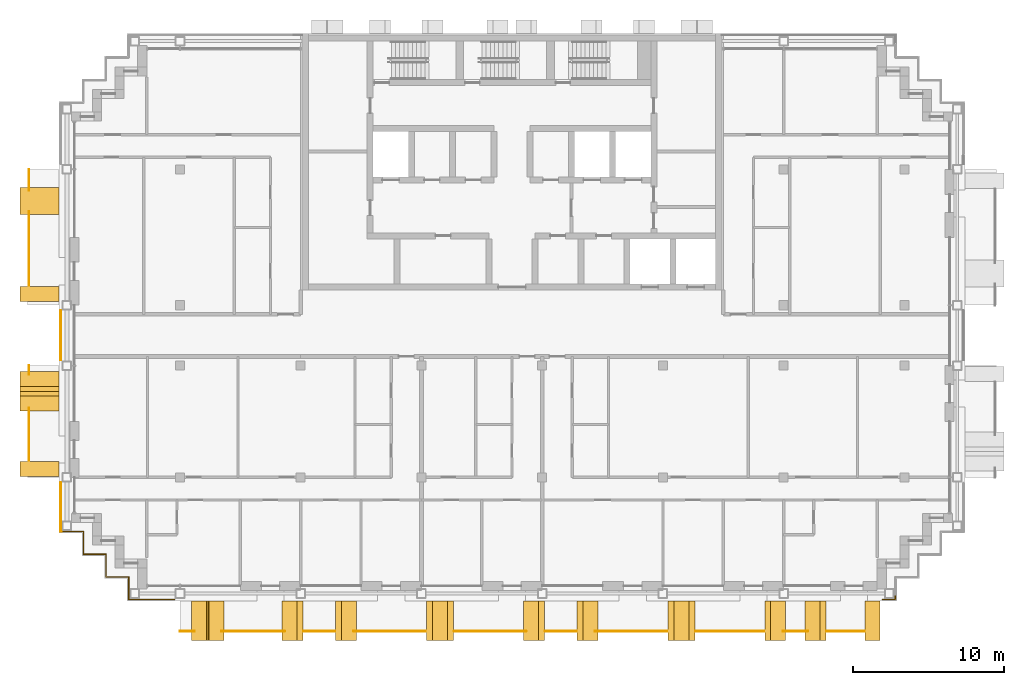
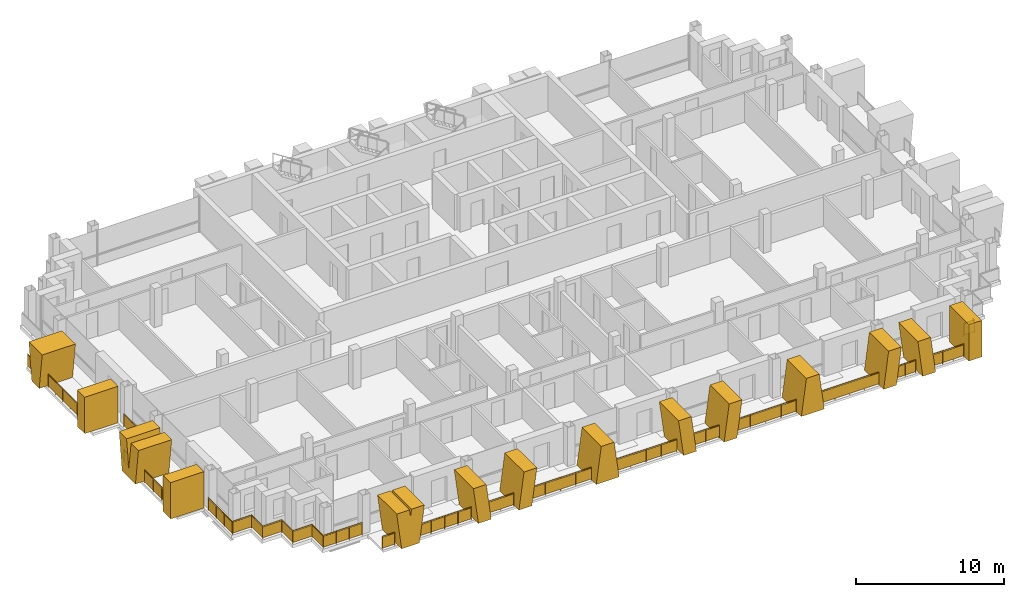
# One storey, part 13 of 16: 18 railings, 14 shading devices.
"""IFC4 building model written with IfcOpenShell, lengths in metres."""

from ifc_helpers import new_model, si_unit, direction, frame, origin, origin_2d, place, context, subcontext, project, spatial, polyline, rectangle, circle, outline, extrude, material, layer, layer_set, type_object, element, save


model = new_model("IFC4")

# Units and contexts
model_context = context("Model", 3, precision=1e-05, world=origin(), true_north=direction((0.0, 1.0)))
body_context = subcontext(model_context, "Body", "Model", "MODEL_VIEW")
ifc_project = project(units=[si_unit("LENGTHUNIT", "METRE"), si_unit("AREAUNIT", "SQUARE_METRE"), si_unit("VOLUMEUNIT", "CUBIC_METRE"), si_unit("PLANEANGLEUNIT", "RADIAN"), si_unit("MASSUNIT", "GRAM", prefix="KILO")], contexts=[model_context])

# Site, building, storey
site_placement = place(None, origin())
site = spatial("IfcSite", under=ifc_project, at=site_placement, CompositionType="ELEMENT")
building_placement = place(site_placement, origin())
building = spatial("IfcBuilding", under=site, at=building_placement, Name="Vidyagriha Tower", CompositionType="ELEMENT")
storey_placement = place(building_placement, frame((0.0, 0.0, 220.39990234375)))
storey = spatial("IfcBuildingStorey", under=building, at=storey_placement, Name="L57", CompositionType="ELEMENT", Elevation=220.39990234375)

# Railings
ifc_material_1 = material(Name="Steel ASTM A500 Grade C black painted", Category="steel")
railing_type_1 = type_object("IfcRailingType", Name="Balcony guard 1100", PredefinedType="BALUSTRADE", material=ifc_material_1)
railing_1_placement = place(storey_placement, frame((-32.0, 11.0, 0.0)))
element("IfcRailing", 1, at=railing_1_placement, inside=storey, type_object=railing_type_1, Name="Balcony guard L57 R16.1-1", PredefinedType="BALUSTRADE", context=body_context, shape_type="SweptSolid", body=[
    extrude(circle(Radius=0.02490234375, at=origin_2d()), frame((0.0, 0.0, 1.0751953125), z_axis=(0.0, -1.0, 0.0), x_axis=(1.0, 0.0, 0.0)), (0.0, 0.0, 1.0), 1.396728515625),
    extrude(circle(Radius=0.02001953125, at=origin_2d()), origin(), (0.0, 0.0, 1.0), 1.050048828125),
    extrude(circle(Radius=0.02001953125, at=origin_2d()), frame((0.0, -0.6982421875, 0.0)), (0.0, 0.0, 1.0), 1.050048828125),
    extrude(circle(Radius=0.02001953125, at=origin_2d()), frame((0.0, -1.396728515625, 0.0)), (0.0, 0.0, 1.0), 1.050048828125),
    extrude(rectangle(XDim=0.010009765625, YDim=0.900146484375, at=origin_2d()), frame((0.0, 0.0, 0.550048828125), z_axis=(0.0, -1.0, 0.0), x_axis=(1.0, 0.0, 0.0)), (0.0, 0.0, 1.0), 1.396728515625),
])
railing_2_placement = place(storey_placement, frame((-32.0, 8.19677734375, 0.0)))
element("IfcRailing", 2, at=railing_2_placement, inside=storey, type_object=railing_type_1, Name="Balcony guard L57 R16.1-2", PredefinedType="BALUSTRADE", context=body_context, shape_type="SweptSolid", body=[
    extrude(circle(Radius=0.02490234375, at=origin_2d()), frame((0.0, 0.0, 1.0751953125), z_axis=(0.0, -1.0, 0.0), x_axis=(1.0, 0.0, 0.0)), (0.0, 0.0, 1.0), 4.896728515625),
    extrude(circle(Radius=0.02001953125, at=origin_2d()), origin(), (0.0, 0.0, 1.0), 1.050048828125),
    extrude(circle(Radius=0.02001953125, at=origin_2d()), frame((0.0, -0.979248046875, 0.0)), (0.0, 0.0, 1.0), 1.050048828125),
    extrude(circle(Radius=0.02001953125, at=origin_2d()), frame((0.0, -1.958740234375, 0.0)), (0.0, 0.0, 1.0), 1.050048828125),
    extrude(circle(Radius=0.02001953125, at=origin_2d()), frame((0.0, -2.93798828125, 0.0)), (0.0, 0.0, 1.0), 1.050048828125),
    extrude(circle(Radius=0.02001953125, at=origin_2d()), frame((0.0, -3.91748046875, 0.0)), (0.0, 0.0, 1.0), 1.050048828125),
    extrude(circle(Radius=0.02001953125, at=origin_2d()), frame((0.0, -4.896728515625, 0.0)), (0.0, 0.0, 1.0), 1.050048828125),
    extrude(rectangle(XDim=0.010009765625, YDim=0.900146484375, at=origin_2d()), frame((0.0, 0.0, 0.550048828125), z_axis=(0.0, -1.0, 0.0), x_axis=(1.0, 0.0, 0.0)), (0.0, 0.0, 1.0), 4.896728515625),
])
railing_3_placement = place(storey_placement, frame((-32.0, -2.0, 0.0)))
element("IfcRailing", 3, at=railing_3_placement, inside=storey, type_object=railing_type_1, Name="Balcony guard L57 R16.2-1", PredefinedType="BALUSTRADE", context=body_context, shape_type="SweptSolid", body=[
    extrude(circle(Radius=0.02490234375, at=origin_2d()), frame((0.0, 0.0, 1.0751953125), z_axis=(0.0, -1.0, 0.0), x_axis=(1.0, 0.0, 0.0)), (0.0, 0.0, 1.0), 0.5966796875),
    extrude(circle(Radius=0.02001953125, at=origin_2d()), origin(), (0.0, 0.0, 1.0), 1.050048828125),
    extrude(circle(Radius=0.02001953125, at=origin_2d()), frame((0.0, -0.5966796875, 0.0)), (0.0, 0.0, 1.0), 1.050048828125),
    extrude(rectangle(XDim=0.010009765625, YDim=0.900146484375, at=origin_2d()), frame((0.0, 0.0, 0.550048828125), z_axis=(0.0, -1.0, 0.0), x_axis=(1.0, 0.0, 0.0)), (0.0, 0.0, 1.0), 0.5966796875),
])
railing_4_placement = place(storey_placement, frame((-32.0, -4.80322265625, 0.0)))
element("IfcRailing", 4, at=railing_4_placement, inside=storey, type_object=railing_type_1, Name="Balcony guard L57 R16.2-2", PredefinedType="BALUSTRADE", context=body_context, shape_type="SweptSolid", body=[
    extrude(circle(Radius=0.02490234375, at=origin_2d()), frame((0.0, 0.0, 1.0751953125), z_axis=(0.0, -1.0, 0.0), x_axis=(1.0, 0.0, 0.0)), (0.0, 0.0, 1.0), 3.496826171875),
    extrude(circle(Radius=0.02001953125, at=origin_2d()), origin(), (0.0, 0.0, 1.0), 1.050048828125),
    extrude(circle(Radius=0.02001953125, at=origin_2d()), frame((0.0, -1.16552734375, 0.0)), (0.0, 0.0, 1.0), 1.050048828125),
    extrude(circle(Radius=0.02001953125, at=origin_2d()), frame((0.0, -2.331298828125, 0.0)), (0.0, 0.0, 1.0), 1.050048828125),
    extrude(circle(Radius=0.02001953125, at=origin_2d()), frame((0.0, -3.496826171875, 0.0)), (0.0, 0.0, 1.0), 1.050048828125),
    extrude(rectangle(XDim=0.010009765625, YDim=0.900146484375, at=origin_2d()), frame((0.0, 0.0, 0.550048828125), z_axis=(0.0, -1.0, 0.0), x_axis=(1.0, 0.0, 0.0)), (0.0, 0.0, 1.0), 3.496826171875),
])
railing_5_placement = place(storey_placement, frame((-22.0, -19.60009765625, 0.0)))
element("IfcRailing", 5, at=railing_5_placement, inside=storey, type_object=railing_type_1, Name="Balcony guard L57 R23.1-1", PredefinedType="BALUSTRADE", context=body_context, shape_type="SweptSolid", body=[
    extrude(circle(Radius=0.02490234375, at=origin_2d()), frame((0.0, 0.0, 1.0751953125), z_axis=(1.0, 0.0, 0.0), x_axis=(0.0, 1.0, 0.0)), (0.0, 0.0, 1.0), 0.959228515625),
    extrude(circle(Radius=0.02001953125, at=origin_2d()), origin(), (0.0, 0.0, 1.0), 1.050048828125),
    extrude(circle(Radius=0.02001953125, at=origin_2d()), frame((0.959228515625, 0.0, 0.0)), (0.0, 0.0, 1.0), 1.050048828125),
    extrude(rectangle(XDim=0.010009765625, YDim=0.900146484375, at=origin_2d()), frame((0.0, 0.0, 0.550048828125), z_axis=(1.0, 0.0, 0.0), x_axis=(0.0, 1.0, 0.0)), (0.0, 0.0, 1.0), 0.959228515625),
])
railing_6_placement = place(storey_placement, frame((-19.25927734375, -19.60009765625, 0.0)))
element("IfcRailing", 6, at=railing_6_placement, inside=storey, type_object=railing_type_1, Name="Balcony guard L57 R23.1-2", PredefinedType="BALUSTRADE", context=body_context, shape_type="SweptSolid", body=[
    extrude(circle(Radius=0.02490234375, at=origin_2d()), frame((0.0, 0.0, 1.0751953125), z_axis=(1.0, 0.0, 0.0), x_axis=(0.0, 1.0, 0.0)), (0.0, 0.0, 1.0), 4.202880859375),
    extrude(circle(Radius=0.02001953125, at=origin_2d()), origin(), (0.0, 0.0, 1.0), 1.050048828125),
    extrude(circle(Radius=0.02001953125, at=origin_2d()), frame((1.05078125, 0.0, 0.0)), (0.0, 0.0, 1.0), 1.050048828125),
    extrude(circle(Radius=0.02001953125, at=origin_2d()), frame((2.1015625, 0.0, 0.0)), (0.0, 0.0, 1.0), 1.050048828125),
    extrude(circle(Radius=0.02001953125, at=origin_2d()), frame((3.152099609375, 0.0, 0.0)), (0.0, 0.0, 1.0), 1.050048828125),
    extrude(circle(Radius=0.02001953125, at=origin_2d()), frame((4.202880859375, 0.0, 0.0)), (0.0, 0.0, 1.0), 1.050048828125),
    extrude(rectangle(XDim=0.010009765625, YDim=0.900146484375, at=origin_2d()), frame((0.0, 0.0, 0.550048828125), z_axis=(1.0, 0.0, 0.0), x_axis=(0.0, 1.0, 0.0)), (0.0, 0.0, 1.0), 4.202880859375),
])
railing_7_placement = place(storey_placement, frame((-13.804931640625, -19.60009765625, 0.0)))
element("IfcRailing", 7, at=railing_7_placement, inside=storey, type_object=railing_type_1, Name="Balcony guard L57 R23.1-3", PredefinedType="BALUSTRADE", context=body_context, shape_type="SweptSolid", body=[
    extrude(circle(Radius=0.02490234375, at=origin_2d()), frame((0.0, 0.0, 1.0751953125), z_axis=(1.0, 0.0, 0.0), x_axis=(0.0, 1.0, 0.0)), (0.0, 0.0, 1.0), 2.059814453125),
    extrude(circle(Radius=0.02001953125, at=origin_2d()), origin(), (0.0, 0.0, 1.0), 1.050048828125),
    extrude(circle(Radius=0.02001953125, at=origin_2d()), frame((1.02978515625, 0.0, 0.0)), (0.0, 0.0, 1.0), 1.050048828125),
    extrude(circle(Radius=0.02001953125, at=origin_2d()), frame((2.059814453125, 0.0, 0.0)), (0.0, 0.0, 1.0), 1.050048828125),
    extrude(rectangle(XDim=0.010009765625, YDim=0.900146484375, at=origin_2d()), frame((0.0, 0.0, 0.550048828125), z_axis=(1.0, 0.0, 0.0), x_axis=(0.0, 1.0, 0.0)), (0.0, 0.0, 1.0), 2.059814453125),
])
for number, where, name in (
    (8, (-10.49365234375, -19.60009765625, 0.0), "Balcony guard L57 R23.1-4"),
    (9, (-3.830078125, -19.60009765625, 0.0), "Balcony guard L57 R23.1-5"),
):
    element("IfcRailing", number, at=place(storey_placement, frame(where)), inside=storey, type_object=railing_type_1, Name=name, PredefinedType="BALUSTRADE", context=body_context, shape_type="SweptSolid", body=[
        extrude(circle(Radius=0.02490234375, at=origin_2d()), frame((0.0, 0.0, 1.0751953125), z_axis=(1.0, 0.0, 0.0), x_axis=(0.0, 1.0, 0.0)), (0.0, 0.0, 1.0), 4.773681640625),
        extrude(circle(Radius=0.02001953125, at=origin_2d()), origin(), (0.0, 0.0, 1.0), 1.050048828125),
        extrude(circle(Radius=0.02001953125, at=origin_2d()), frame((1.193359375, 0.0, 0.0)), (0.0, 0.0, 1.0), 1.050048828125),
        extrude(circle(Radius=0.02001953125, at=origin_2d()), frame((2.38671875, 0.0, 0.0)), (0.0, 0.0, 1.0), 1.050048828125),
        extrude(circle(Radius=0.02001953125, at=origin_2d()), frame((3.580322265625, 0.0, 0.0)), (0.0, 0.0, 1.0), 1.050048828125),
        extrude(circle(Radius=0.02001953125, at=origin_2d()), frame((4.773681640625, 0.0, 0.0)), (0.0, 0.0, 1.0), 1.050048828125),
        extrude(rectangle(XDim=0.010009765625, YDim=0.900146484375, at=origin_2d()), frame((0.0, 0.0, 0.550048828125), z_axis=(1.0, 0.0, 0.0), x_axis=(0.0, 1.0, 0.0)), (0.0, 0.0, 1.0), 4.773681640625),
    ])
railing_8_placement = place(storey_placement, frame((2.195068359375, -19.60009765625, 0.0)))
element("IfcRailing", 10, at=railing_8_placement, inside=storey, type_object=railing_type_1, Name="Balcony guard L57 R23.1-6", PredefinedType="BALUSTRADE", context=body_context, shape_type="SweptSolid", body=[
    extrude(circle(Radius=0.02490234375, at=origin_2d()), frame((0.0, 0.0, 1.0751953125), z_axis=(1.0, 0.0, 0.0), x_axis=(0.0, 1.0, 0.0)), (0.0, 0.0, 1.0), 2.059814453125),
    extrude(circle(Radius=0.02001953125, at=origin_2d()), origin(), (0.0, 0.0, 1.0), 1.050048828125),
    extrude(circle(Radius=0.02001953125, at=origin_2d()), frame((1.02978515625, 0.0, 0.0)), (0.0, 0.0, 1.0), 1.050048828125),
    extrude(circle(Radius=0.02001953125, at=origin_2d()), frame((2.059814453125, 0.0, 0.0)), (0.0, 0.0, 1.0), 1.050048828125),
    extrude(rectangle(XDim=0.010009765625, YDim=0.900146484375, at=origin_2d()), frame((0.0, 0.0, 0.550048828125), z_axis=(1.0, 0.0, 0.0), x_axis=(0.0, 1.0, 0.0)), (0.0, 0.0, 1.0), 2.059814453125),
])
railing_9_placement = place(storey_placement, frame((5.50634765625, -19.60009765625, 0.0)))
element("IfcRailing", 11, at=railing_9_placement, inside=storey, type_object=railing_type_1, Name="Balcony guard L57 R23.1-7", PredefinedType="BALUSTRADE", context=body_context, shape_type="SweptSolid", body=[
    extrude(circle(Radius=0.02490234375, at=origin_2d()), frame((0.0, 0.0, 1.0751953125), z_axis=(1.0, 0.0, 0.0), x_axis=(0.0, 1.0, 0.0)), (0.0, 0.0, 1.0), 4.773681640625),
    extrude(circle(Radius=0.02001953125, at=origin_2d()), origin(), (0.0, 0.0, 1.0), 1.050048828125),
    extrude(circle(Radius=0.02001953125, at=origin_2d()), frame((1.193359375, 0.0, 0.0)), (0.0, 0.0, 1.0), 1.050048828125),
    extrude(circle(Radius=0.02001953125, at=origin_2d()), frame((2.38671875, 0.0, 0.0)), (0.0, 0.0, 1.0), 1.050048828125),
    extrude(circle(Radius=0.02001953125, at=origin_2d()), frame((3.580322265625, 0.0, 0.0)), (0.0, 0.0, 1.0), 1.050048828125),
    extrude(circle(Radius=0.02001953125, at=origin_2d()), frame((4.773681640625, 0.0, 0.0)), (0.0, 0.0, 1.0), 1.050048828125),
    extrude(rectangle(XDim=0.010009765625, YDim=0.900146484375, at=origin_2d()), frame((0.0, 0.0, 0.550048828125), z_axis=(1.0, 0.0, 0.0), x_axis=(0.0, 1.0, 0.0)), (0.0, 0.0, 1.0), 4.773681640625),
])
railing_10_placement = place(storey_placement, frame((12.169921875, -19.60009765625, 0.0)))
element("IfcRailing", 12, at=railing_10_placement, inside=storey, type_object=railing_type_1, Name="Balcony guard L57 R23.1-8", PredefinedType="BALUSTRADE", context=body_context, shape_type="SweptSolid", body=[
    extrude(circle(Radius=0.02490234375, at=origin_2d()), frame((0.0, 0.0, 1.0751953125), z_axis=(1.0, 0.0, 0.0), x_axis=(0.0, 1.0, 0.0)), (0.0, 0.0, 1.0), 4.530029296875),
    extrude(circle(Radius=0.02001953125, at=origin_2d()), origin(), (0.0, 0.0, 1.0), 1.050048828125),
    extrude(circle(Radius=0.02001953125, at=origin_2d()), frame((1.132568359375, 0.0, 0.0)), (0.0, 0.0, 1.0), 1.050048828125),
    extrude(circle(Radius=0.02001953125, at=origin_2d()), frame((2.26513671875, 0.0, 0.0)), (0.0, 0.0, 1.0), 1.050048828125),
    extrude(circle(Radius=0.02001953125, at=origin_2d()), frame((3.3974609375, 0.0, 0.0)), (0.0, 0.0, 1.0), 1.050048828125),
    extrude(circle(Radius=0.02001953125, at=origin_2d()), frame((4.530029296875, 0.0, 0.0)), (0.0, 0.0, 1.0), 1.050048828125),
    extrude(rectangle(XDim=0.010009765625, YDim=0.900146484375, at=origin_2d()), frame((0.0, 0.0, 0.550048828125), z_axis=(1.0, 0.0, 0.0), x_axis=(0.0, 1.0, 0.0)), (0.0, 0.0, 1.0), 4.530029296875),
])
railing_11_placement = place(storey_placement, frame((17.946044921875, -19.60009765625, 0.0)))
element("IfcRailing", 13, at=railing_11_placement, inside=storey, type_object=railing_type_1, Name="Balcony guard L57 R23.1-9", PredefinedType="BALUSTRADE", context=body_context, shape_type="SweptSolid", body=[
    extrude(circle(Radius=0.02490234375, at=origin_2d()), frame((0.0, 0.0, 1.0751953125), z_axis=(1.0, 0.0, 0.0), x_axis=(0.0, 1.0, 0.0)), (0.0, 0.0, 1.0), 1.65771484375),
    extrude(circle(Radius=0.02001953125, at=origin_2d()), origin(), (0.0, 0.0, 1.0), 1.050048828125),
    extrude(circle(Radius=0.02001953125, at=origin_2d()), frame((0.828857421875, 0.0, 0.0)), (0.0, 0.0, 1.0), 1.050048828125),
    extrude(circle(Radius=0.02001953125, at=origin_2d()), frame((1.65771484375, 0.0, 0.0)), (0.0, 0.0, 1.0), 1.050048828125),
    extrude(rectangle(XDim=0.010009765625, YDim=0.900146484375, at=origin_2d()), frame((0.0, 0.0, 0.550048828125), z_axis=(1.0, 0.0, 0.0), x_axis=(0.0, 1.0, 0.0)), (0.0, 0.0, 1.0), 1.65771484375),
])
railing_12_placement = place(storey_placement, frame((20.85009765625, -19.60009765625, 0.0)))
element("IfcRailing", 14, at=railing_12_placement, inside=storey, type_object=railing_type_1, Name="Balcony guard L57 R23.1-10", PredefinedType="BALUSTRADE", context=body_context, shape_type="SweptSolid", body=[
    extrude(circle(Radius=0.02490234375, at=origin_2d()), frame((0.0, 0.0, 1.0751953125), z_axis=(1.0, 0.0, 0.0), x_axis=(0.0, 1.0, 0.0)), (0.0, 0.0, 1.0), 2.5),
    extrude(circle(Radius=0.02001953125, at=origin_2d()), origin(), (0.0, 0.0, 1.0), 1.050048828125),
    extrude(circle(Radius=0.02001953125, at=origin_2d()), frame((0.833251953125, 0.0, 0.0)), (0.0, 0.0, 1.0), 1.050048828125),
    extrude(circle(Radius=0.02001953125, at=origin_2d()), frame((1.666748046875, 0.0, 0.0)), (0.0, 0.0, 1.0), 1.050048828125),
    extrude(circle(Radius=0.02001953125, at=origin_2d()), frame((2.5, 0.0, 0.0)), (0.0, 0.0, 1.0), 1.050048828125),
    extrude(rectangle(XDim=0.010009765625, YDim=0.900146484375, at=origin_2d()), frame((0.0, 0.0, 0.550048828125), z_axis=(1.0, 0.0, 0.0), x_axis=(0.0, 1.0, 0.0)), (0.0, 0.0, 1.0), 2.5),
])

# Shading devices
ifc_material_2 = material(Name="Precast concrete C40/50 with buff brick facing", Category="concrete")
ifc_layer_1 = layer(ifc_material_2, 1.0)
ifc_layer_set_1 = layer_set([ifc_layer_1], Name="Precast concrete C40/50 with buff brick facing")
shading_device_type_1 = type_object("IfcShadingDeviceType", Name="Brick-faced blade fin arm leaning 8 degrees", PredefinedType="USERDEFINED", material=ifc_layer_set_1)
shading_device_1_placement = place(storey_placement, frame((-11.695068359375, -18.89990234375, 0.0)))
element("IfcShadingDevice", 15, at=shading_device_1_placement, inside=storey, type_object=shading_device_type_1, Name="Leaning blade fin L57 R23.1020a", ObjectType="BLADE FIN", PredefinedType="USERDEFINED", context=body_context, shape_type="SweptSolid", body=[
    extrude(outline(polyline([(0.0, 0.0), (1.0, 0.0), (1.39501953125, 3.0), (0.39501953125, 3.0), (0.0, 0.0)])), frame((0.0, 1.300048828125, 0.0), z_axis=(0.0, -1.0, 0.0), x_axis=(1.0, 0.0, 0.0)), (0.0, 0.0, 1.0), 2.60009765625),
])
shading_device_2_placement = place(storey_placement, frame((-15.25, -18.89990234375, 0.0)))
element("IfcShadingDevice", 16, at=shading_device_2_placement, inside=storey, type_object=shading_device_type_1, Name="Leaning blade fin L57 R23.1020b", ObjectType="BLADE FIN", PredefinedType="USERDEFINED", context=body_context, shape_type="SweptSolid", body=[
    extrude(outline(polyline([(0.39501953125, 0.0), (1.39501953125, 0.0), (1.0, 3.0), (0.0, 3.0), (0.39501953125, 0.0)])), frame((0.0, 1.300048828125, 0.0), z_axis=(0.0, -1.0, 0.0), x_axis=(1.0, 0.0, 0.0)), (0.0, 0.0, 1.0), 2.60009765625),
])
shading_device_3_placement = place(storey_placement, frame((4.304931640625, -18.89990234375, 0.0)))
element("IfcShadingDevice", 17, at=shading_device_3_placement, inside=storey, type_object=shading_device_type_1, Name="Leaning blade fin L57 R23.2620a", ObjectType="BLADE FIN", PredefinedType="USERDEFINED", context=body_context, shape_type="SweptSolid", body=[
    extrude(outline(polyline([(0.0, 0.0), (1.0, 0.0), (1.39501953125, 3.0), (0.39501953125, 3.0), (0.0, 0.0)])), frame((0.0, 1.300048828125, 0.0), z_axis=(0.0, -1.0, 0.0), x_axis=(1.0, 0.0, 0.0)), (0.0, 0.0, 1.0), 2.60009765625),
])
shading_device_4_placement = place(storey_placement, frame((0.75, -18.89990234375, 0.0)))
element("IfcShadingDevice", 18, at=shading_device_4_placement, inside=storey, type_object=shading_device_type_1, Name="Leaning blade fin L57 R23.2620b", ObjectType="BLADE FIN", PredefinedType="USERDEFINED", context=body_context, shape_type="SweptSolid", body=[
    extrude(outline(polyline([(0.39501953125, 0.0), (1.39501953125, 0.0), (1.0, 3.0), (0.0, 3.0), (0.39501953125, 0.0)])), frame((0.0, 1.300048828125, 0.0), z_axis=(0.0, -1.0, 0.0), x_axis=(1.0, 0.0, 0.0)), (0.0, 0.0, 1.0), 2.60009765625),
])
shading_device_5_placement = place(storey_placement, frame((19.418701171875, -18.89990234375, 0.0)))
element("IfcShadingDevice", 19, at=shading_device_5_placement, inside=storey, type_object=shading_device_type_1, Name="Leaning blade fin L57 R23.4220a", ObjectType="BLADE FIN", PredefinedType="USERDEFINED", context=body_context, shape_type="SweptSolid", body=[
    extrude(outline(polyline([(0.38134765625, 0.0), (1.38134765625, 0.0), (1.0, 3.0), (0.0, 3.0), (0.38134765625, 0.0)])), frame((0.0, 1.300048828125, 0.0), z_axis=(0.0, -1.0, 0.0), x_axis=(1.0, 0.0, 0.0)), (0.0, 0.0, 1.0), 2.60009765625),
])
shading_device_6_placement = place(storey_placement, frame((16.75, -18.89990234375, 0.0)))
element("IfcShadingDevice", 20, at=shading_device_6_placement, inside=storey, type_object=shading_device_type_1, Name="Leaning blade fin L57 R23.4220b", ObjectType="BLADE FIN", PredefinedType="USERDEFINED", context=body_context, shape_type="SweptSolid", body=[
    extrude(outline(polyline([(0.0, 0.0), (1.0, 0.0), (1.38134765625, 3.0), (0.38134765625, 3.0), (0.0, 0.0)])), frame((0.0, 1.300048828125, 0.0), z_axis=(0.0, -1.0, 0.0), x_axis=(1.0, 0.0, 0.0)), (0.0, 0.0, 1.0), 2.60009765625),
])
ifc_material_3 = material(Name="Precast concrete C40/50 with buff brick facing", Category="concrete")
ifc_layer_2 = layer(ifc_material_3, 1.0)
ifc_layer_set_2 = layer_set([ifc_layer_2], Name="Precast concrete C40/50 with buff brick facing")
shading_device_type_2 = type_object("IfcShadingDeviceType", Name="Brick-faced blade fin forking 8 degrees", PredefinedType="USERDEFINED", material=ifc_layer_set_2)
shading_device_7_placement = place(storey_placement, frame((-31.300048828125, 9.800048828125, 0.0), z_axis=(0.0, 0.0, 1.0), x_axis=(0.0, -1.0, 0.0)))
element("IfcShadingDevice", 21, at=shading_device_7_placement, inside=storey, type_object=shading_device_type_2, Name="Forked blade fin L57 R16.320a", ObjectType="BLADE FIN", PredefinedType="USERDEFINED", context=body_context, shape_type="SweptSolid", body=[
    extrude(outline(polyline([(0.39990234375, 0.0), (1.39990234375, 0.0), (1.800048828125, 3.0), (0.0, 3.0), (0.39990234375, 0.0)])), frame((0.0, 1.300048828125, 0.0), z_axis=(0.0, -1.0, 0.0), x_axis=(1.0, 0.0, 0.0)), (0.0, 0.0, 1.0), 2.60009765625),
])
shading_device_8_placement = place(storey_placement, frame((-31.300048828125, -2.39990234375, 0.0), z_axis=(0.0, 0.0, 1.0), x_axis=(0.0, -1.0, 0.0)))
element("IfcShadingDevice", 22, at=shading_device_8_placement, inside=storey, type_object=shading_device_type_2, Name="Forked blade fin L57 R16.1620a", ObjectType="BLADE FIN", PredefinedType="USERDEFINED", context=body_context, shape_type="SweptSolid", body=[
    extrude(outline(polyline([(0.39990234375, 0.0), (2.199951171875, 0.0), (2.60009765625, 3.0), (1.60009765625, 3.0), (1.300048828125, 0.75), (1.0, 3.0), (0.0, 3.0), (0.39990234375, 0.0)])), frame((0.0, 1.300048828125, 0.0), z_axis=(0.0, -1.0, 0.0), x_axis=(1.0, 0.0, 0.0)), (0.0, 0.0, 1.0), 2.60009765625),
])
shading_device_9_placement = place(storey_placement, frame((-21.228515625, -18.89990234375, 0.0)))
element("IfcShadingDevice", 23, at=shading_device_9_placement, inside=storey, type_object=shading_device_type_2, Name="Forked blade fin L57 R23.220a", ObjectType="BLADE FIN", PredefinedType="USERDEFINED", context=body_context, shape_type="SweptSolid", body=[
    extrude(outline(polyline([(0.3857421875, 0.0), (1.771484375, 0.0), (2.1572265625, 3.0), (1.1572265625, 3.0), (1.07861328125, 2.388916015625), (1.0, 3.0), (0.0, 3.0), (0.3857421875, 0.0)])), frame((0.0, 1.300048828125, 0.0), z_axis=(0.0, -1.0, 0.0), x_axis=(1.0, 0.0, 0.0)), (0.0, 0.0, 1.0), 2.60009765625),
])
for number, where, name in (
    (24, (-5.669921875, -18.89990234375, 0.0), "Forked blade fin L57 R23.1820a"),
    (25, (10.330078125, -18.89990234375, 0.0), "Forked blade fin L57 R23.3420a"),
):
    element("IfcShadingDevice", number, at=place(storey_placement, frame(where)), inside=storey, type_object=shading_device_type_2, Name=name, ObjectType="BLADE FIN", PredefinedType="USERDEFINED", context=body_context, shape_type="SweptSolid", body=[
        extrude(outline(polyline([(0.0, 0.0), (1.7900390625, 0.0), (1.39501953125, 3.0), (0.39501953125, 3.0), (0.0, 0.0)])), frame((0.0, 1.300048828125, 0.0), z_axis=(0.0, -1.0, 0.0), x_axis=(1.0, 0.0, 0.0)), (0.0, 0.0, 1.0), 2.60009765625),
    ])
ifc_material_4 = material(Name="Precast concrete C40/50 with buff brick facing", Category="concrete")
ifc_layer_3 = layer(ifc_material_4, 1.0)
ifc_layer_set_3 = layer_set([ifc_layer_3], Name="Precast concrete C40/50 with buff brick facing")
shading_device_type_3 = type_object("IfcShadingDeviceType", Name="Brick-faced blade fin stem 1000", PredefinedType="USERDEFINED", material=ifc_layer_set_3)
for number, where, z_axis, x_axis, name in (
    (26, (-31.300048828125, 3.25, 0.0), (0.0, 0.0, 1.0), (0.0, -1.0, 0.0), "Stem blade fin L57 R16.1220a"),
    (27, (-31.300048828125, -8.35009765625, 0.0), (0.0, 0.0, 1.0), (0.0, -1.0, 0.0), "Stem blade fin L57 R16.2360a"),
):
    element("IfcShadingDevice", number, at=place(storey_placement, frame(where, z_axis=z_axis, x_axis=x_axis)), inside=storey, type_object=shading_device_type_3, Name=name, ObjectType="BLADE FIN", PredefinedType="USERDEFINED", context=body_context, shape_type="SweptSolid", body=[
        extrude(outline(polyline([(0.0, 0.0), (1.0, 0.0), (1.0, 3.0), (0.0, 3.0), (0.0, 0.0)])), frame((0.0, 1.300048828125, 0.0), z_axis=(0.0, -1.0, 0.0), x_axis=(1.0, 0.0, 0.0)), (0.0, 0.0, 1.0), 2.60009765625),
    ])
shading_device_10_placement = place(storey_placement, frame((23.39990234375, -18.89990234375, 0.0)))
element("IfcShadingDevice", 28, at=shading_device_10_placement, inside=storey, type_object=shading_device_type_3, Name="Stem blade fin L57 R23.4840a", ObjectType="BLADE FIN", PredefinedType="USERDEFINED", context=body_context, shape_type="SweptSolid", body=[
    extrude(outline(polyline([(0.0, 0.0), (1.0, 0.0), (1.0, 3.0), (0.0, 3.0), (0.0, 0.0)])), frame((0.0, 1.300048828125, 0.0), z_axis=(0.0, -1.0, 0.0), x_axis=(1.0, 0.0, 0.0)), (0.0, 0.0, 1.0), 2.60009765625),
])

# Railings
ifc_material_5 = material(Name="Steel ASTM A500 Grade C black painted", Category="steel")
railing_type_2 = type_object("IfcRailingType", Name="Gallery guard 1100", PredefinedType="GUARDRAIL", material=ifc_material_5)
railing_13_placement = place(storey_placement, frame((-22.360107421875, -17.5, 0.0)))
element("IfcRailing", 29, at=railing_13_placement, inside=storey, type_object=railing_type_2, Name="Gallery guard L57 1", PredefinedType="GUARDRAIL", context=body_context, shape_type="SweptSolid", body=[
    extrude(circle(Radius=0.02490234375, at=origin_2d()), frame((0.0, 0.0, 1.0751953125), z_axis=(-1.0, 0.0, 0.0), x_axis=(0.0, -1.0, 0.0)), (0.0, 0.0, 1.0), 3.039794921875),
    extrude(circle(Radius=0.02490234375, at=origin_2d()), frame((-3.039794921875, 0.0, 1.0751953125), z_axis=(0.0, 1.0, 0.0), x_axis=(-1.0, 0.0, 0.0)), (0.0, 0.0, 1.0), 1.5),
    extrude(circle(Radius=0.02490234375, at=origin_2d()), frame((-3.039794921875, 1.5, 1.0751953125), z_axis=(-1.0, 0.0, 0.0), x_axis=(0.0, -1.0, 0.0)), (0.0, 0.0, 1.0), 1.5),
    extrude(circle(Radius=0.02490234375, at=origin_2d()), frame((-4.539794921875, 1.5, 1.0751953125), z_axis=(0.0, 1.0, 0.0), x_axis=(-1.0, 0.0, 0.0)), (0.0, 0.0, 1.0), 1.5),
    extrude(circle(Radius=0.02490234375, at=origin_2d()), frame((-4.539794921875, 3.0, 1.0751953125), z_axis=(-1.0, 0.0, 0.0), x_axis=(0.0, -1.0, 0.0)), (0.0, 0.0, 1.0), 1.5),
    extrude(circle(Radius=0.02490234375, at=origin_2d()), frame((-6.039794921875, 3.0, 1.0751953125), z_axis=(0.0, 1.0, 0.0), x_axis=(-1.0, 0.0, 0.0)), (0.0, 0.0, 1.0), 1.5),
    extrude(circle(Radius=0.02490234375, at=origin_2d()), frame((-6.039794921875, 4.5, 1.0751953125), z_axis=(-1.0, 0.0, 0.0), x_axis=(0.0, -1.0, 0.0)), (0.0, 0.0, 1.0), 1.460205078125),
    extrude(circle(Radius=0.02001953125, at=origin_2d()), origin(), (0.0, 0.0, 1.0), 1.050048828125),
    extrude(circle(Radius=0.02001953125, at=origin_2d()), frame((-1.01318359375, 0.0, 0.0)), (0.0, 0.0, 1.0), 1.050048828125),
    extrude(circle(Radius=0.02001953125, at=origin_2d()), frame((-2.026611328125, 0.0, 0.0)), (0.0, 0.0, 1.0), 1.050048828125),
    extrude(circle(Radius=0.02001953125, at=origin_2d()), frame((-3.039794921875, 0.0, 0.0)), (0.0, 0.0, 1.0), 1.050048828125),
    extrude(circle(Radius=0.02001953125, at=origin_2d()), frame((-3.039794921875, 1.5, 0.0)), (0.0, 0.0, 1.0), 1.050048828125),
    extrude(circle(Radius=0.02001953125, at=origin_2d()), frame((-4.539794921875, 1.5, 0.0)), (0.0, 0.0, 1.0), 1.050048828125),
    extrude(circle(Radius=0.02001953125, at=origin_2d()), frame((-4.539794921875, 3.0, 0.0)), (0.0, 0.0, 1.0), 1.050048828125),
    extrude(circle(Radius=0.02001953125, at=origin_2d()), frame((-6.039794921875, 3.0, 0.0)), (0.0, 0.0, 1.0), 1.050048828125),
    extrude(circle(Radius=0.02001953125, at=origin_2d()), frame((-6.039794921875, 4.5, 0.0)), (0.0, 0.0, 1.0), 1.050048828125),
    extrude(circle(Radius=0.02001953125, at=origin_2d()), frame((-7.5, 4.5, 0.0)), (0.0, 0.0, 1.0), 1.050048828125),
    extrude(rectangle(XDim=0.010009765625, YDim=0.900146484375, at=origin_2d()), frame((0.0, 0.0, 0.550048828125), z_axis=(-1.0, 0.0, 0.0), x_axis=(0.0, -1.0, 0.0)), (0.0, 0.0, 1.0), 3.039794921875),
    extrude(rectangle(XDim=0.010009765625, YDim=0.900146484375, at=origin_2d()), frame((-3.039794921875, 0.0, 0.550048828125), z_axis=(0.0, 1.0, 0.0), x_axis=(-1.0, 0.0, 0.0)), (0.0, 0.0, 1.0), 1.5),
    extrude(rectangle(XDim=0.010009765625, YDim=0.900146484375, at=origin_2d()), frame((-3.039794921875, 1.5, 0.550048828125), z_axis=(-1.0, 0.0, 0.0), x_axis=(0.0, -1.0, 0.0)), (0.0, 0.0, 1.0), 1.5),
    extrude(rectangle(XDim=0.010009765625, YDim=0.900146484375, at=origin_2d()), frame((-4.539794921875, 1.5, 0.550048828125), z_axis=(0.0, 1.0, 0.0), x_axis=(-1.0, 0.0, 0.0)), (0.0, 0.0, 1.0), 1.5),
    extrude(rectangle(XDim=0.010009765625, YDim=0.900146484375, at=origin_2d()), frame((-4.539794921875, 3.0, 0.550048828125), z_axis=(-1.0, 0.0, 0.0), x_axis=(0.0, -1.0, 0.0)), (0.0, 0.0, 1.0), 1.5),
    extrude(rectangle(XDim=0.010009765625, YDim=0.900146484375, at=origin_2d()), frame((-6.039794921875, 3.0, 0.550048828125), z_axis=(0.0, 1.0, 0.0), x_axis=(-1.0, 0.0, 0.0)), (0.0, 0.0, 1.0), 1.5),
    extrude(rectangle(XDim=0.010009765625, YDim=0.900146484375, at=origin_2d()), frame((-6.039794921875, 4.5, 0.550048828125), z_axis=(-1.0, 0.0, 0.0), x_axis=(0.0, -1.0, 0.0)), (0.0, 0.0, 1.0), 1.460205078125),
])
railing_14_placement = place(storey_placement, frame((-29.860107421875, -13.0, 0.0)))
element("IfcRailing", 30, at=railing_14_placement, inside=storey, type_object=railing_type_2, Name="Gallery guard L57 2", PredefinedType="GUARDRAIL", context=body_context, shape_type="SweptSolid", body=[
    extrude(circle(Radius=0.02490234375, at=origin_2d()), frame((0.0, 0.0, 1.0751953125), z_axis=(-1.0, 0.0, 0.0), x_axis=(0.0, -1.0, 0.0)), (0.0, 0.0, 1.0), 0.039794921875),
    extrude(circle(Radius=0.02490234375, at=origin_2d()), frame((-0.039794921875, 0.0, 1.0751953125), z_axis=(0.0, 1.0, 0.0), x_axis=(-1.0, 0.0, 0.0)), (0.0, 0.0, 1.0), 3.239990234375),
    extrude(circle(Radius=0.02001953125, at=origin_2d()), origin(), (0.0, 0.0, 1.0), 1.050048828125),
    extrude(circle(Radius=0.02001953125, at=origin_2d()), frame((-0.039794921875, 0.0, 0.0)), (0.0, 0.0, 1.0), 1.050048828125),
    extrude(circle(Radius=0.02001953125, at=origin_2d()), frame((-0.039794921875, 1.080078125, 0.0)), (0.0, 0.0, 1.0), 1.050048828125),
    extrude(circle(Radius=0.02001953125, at=origin_2d()), frame((-0.039794921875, 2.159912109375, 0.0)), (0.0, 0.0, 1.0), 1.050048828125),
    extrude(circle(Radius=0.02001953125, at=origin_2d()), frame((-0.039794921875, 3.239990234375, 0.0)), (0.0, 0.0, 1.0), 1.050048828125),
    extrude(rectangle(XDim=0.010009765625, YDim=0.900146484375, at=origin_2d()), frame((0.0, 0.0, 0.550048828125), z_axis=(-1.0, 0.0, 0.0), x_axis=(0.0, -1.0, 0.0)), (0.0, 0.0, 1.0), 0.039794921875),
    extrude(rectangle(XDim=0.010009765625, YDim=0.900146484375, at=origin_2d()), frame((-0.039794921875, 0.0, 0.550048828125), z_axis=(0.0, 1.0, 0.0), x_axis=(-1.0, 0.0, 0.0)), (0.0, 0.0, 1.0), 3.239990234375),
])
railing_15_placement = place(storey_placement, frame((-29.89990234375, -1.639892578125, 0.0)))
element("IfcRailing", 31, at=railing_15_placement, inside=storey, type_object=railing_type_2, Name="Gallery guard L57 3", PredefinedType="GUARDRAIL", context=body_context, shape_type="SweptSolid", body=[
    extrude(circle(Radius=0.02490234375, at=origin_2d()), frame((0.0, 0.0, 1.0751953125), z_axis=(0.0, 1.0, 0.0), x_axis=(-1.0, 0.0, 0.0)), (0.0, 0.0, 1.0), 3.27978515625),
    extrude(circle(Radius=0.02001953125, at=origin_2d()), origin(), (0.0, 0.0, 1.0), 1.050048828125),
    extrude(circle(Radius=0.02001953125, at=origin_2d()), frame((0.0, 1.09326171875, 0.0)), (0.0, 0.0, 1.0), 1.050048828125),
    extrude(circle(Radius=0.02001953125, at=origin_2d()), frame((0.0, 2.1865234375, 0.0)), (0.0, 0.0, 1.0), 1.050048828125),
    extrude(circle(Radius=0.02001953125, at=origin_2d()), frame((0.0, 3.27978515625, 0.0)), (0.0, 0.0, 1.0), 1.050048828125),
    extrude(rectangle(XDim=0.010009765625, YDim=0.900146484375, at=origin_2d()), frame((0.0, 0.0, 0.550048828125), z_axis=(0.0, 1.0, 0.0), x_axis=(-1.0, 0.0, 0.0)), (0.0, 0.0, 1.0), 3.27978515625),
])
railing_16_placement = place(storey_placement, frame((25.39990234375, -17.260009765625, 0.0)))
element("IfcRailing", 32, at=railing_16_placement, inside=storey, type_object=railing_type_2, Name="Gallery guard L57 11", PredefinedType="GUARDRAIL", context=body_context, shape_type="SweptSolid", body=[
    extrude(circle(Radius=0.02490234375, at=origin_2d()), frame((0.0, 0.0, 1.0751953125), z_axis=(0.0, -1.0, 0.0), x_axis=(1.0, 0.0, 0.0)), (0.0, 0.0, 1.0), 0.239990234375),
    extrude(circle(Radius=0.02490234375, at=origin_2d()), frame((0.0, -0.239990234375, 1.0751953125), z_axis=(-1.0, 0.0, 0.0), x_axis=(0.0, -1.0, 0.0)), (0.0, 0.0, 1.0), 0.83984375),
    extrude(circle(Radius=0.02001953125, at=origin_2d()), origin(), (0.0, 0.0, 1.0), 1.050048828125),
    extrude(circle(Radius=0.02001953125, at=origin_2d()), frame((0.0, -0.239990234375, 0.0)), (0.0, 0.0, 1.0), 1.050048828125),
    extrude(circle(Radius=0.02001953125, at=origin_2d()), frame((-0.83984375, -0.239990234375, 0.0)), (0.0, 0.0, 1.0), 1.050048828125),
    extrude(rectangle(XDim=0.010009765625, YDim=0.900146484375, at=origin_2d()), frame((0.0, 0.0, 0.550048828125), z_axis=(0.0, -1.0, 0.0), x_axis=(1.0, 0.0, 0.0)), (0.0, 0.0, 1.0), 0.239990234375),
    extrude(rectangle(XDim=0.010009765625, YDim=0.900146484375, at=origin_2d()), frame((0.0, -0.239990234375, 0.550048828125), z_axis=(-1.0, 0.0, 0.0), x_axis=(0.0, -1.0, 0.0)), (0.0, 0.0, 1.0), 0.83984375),
])

save(model, "model.ifc")
